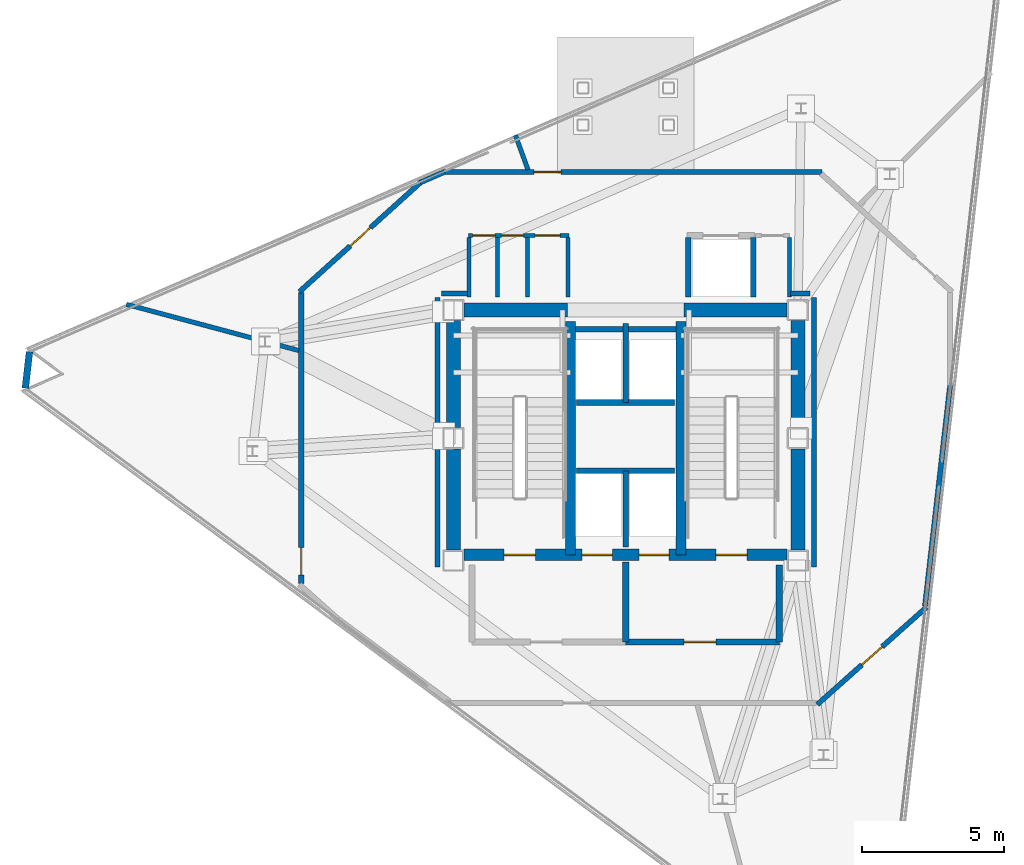
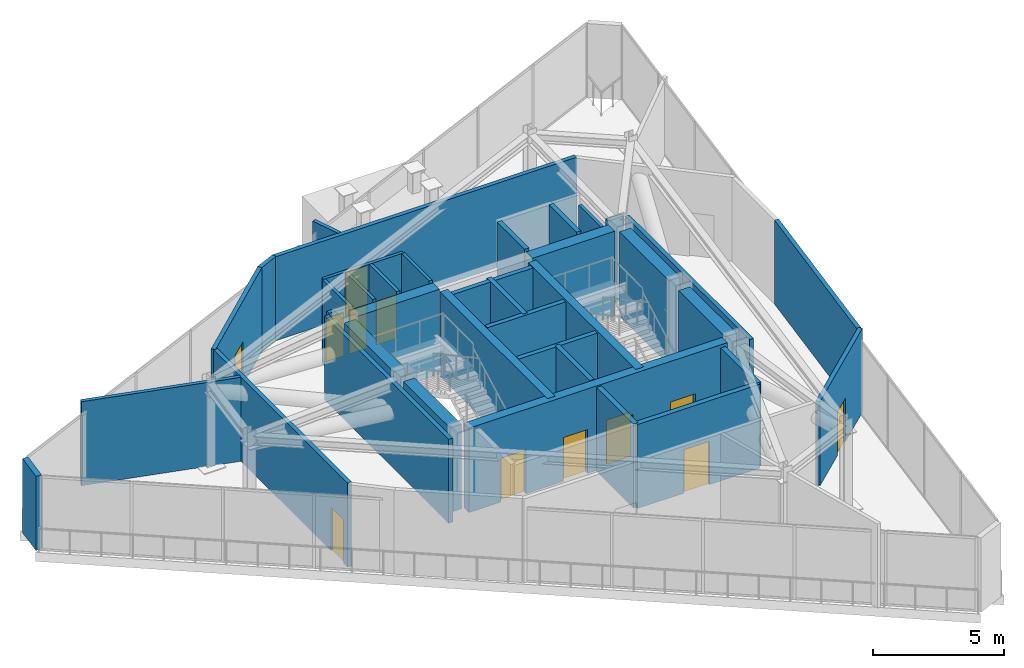
# One storey, part 8 of 11: 38 walls, 12 doors, 12 openings.
"""IFC4 building model written with IfcOpenShell, lengths in metres."""

from ifc_helpers import new_model, si_unit, direction, frame, frame_2d, origin, place, context, subcontext, project, spatial, rectangle, extrude, material, layer, layer_set, type_object, element, fill, save


model = new_model("IFC4")

# Units and contexts
model_context = context("Model", 3, precision=1e-05, world=origin(), true_north=direction((0.0, 1.0)))
body_context = subcontext(model_context, "Body", "Model", "MODEL_VIEW")
ifc_project = project(units=[si_unit("LENGTHUNIT", "METRE"), si_unit("AREAUNIT", "SQUARE_METRE"), si_unit("VOLUMEUNIT", "CUBIC_METRE"), si_unit("PLANEANGLEUNIT", "RADIAN"), si_unit("MASSUNIT", "GRAM", prefix="KILO")], contexts=[model_context])

# Site, building, storey
site_placement = place(None, origin())
site = spatial("IfcSite", under=ifc_project, at=site_placement, CompositionType="ELEMENT")
building_placement = place(site_placement, origin())
building = spatial("IfcBuilding", under=site, at=building_placement, Name="Rocaltana Carrier Exchange", CompositionType="ELEMENT")
storey_placement = place(building_placement, frame((0.0, 0.0, 239.199951171875)))
storey = spatial("IfcBuildingStorey", under=building, at=storey_placement, Name="L76", CompositionType="ELEMENT", Elevation=239.199951171875)

# Walls
ifc_material_1 = material(Name="Double Acoustic Gypsum Partition", Category="gypsum")
ifc_layer_1 = layer(ifc_material_1, 0.159912109375)
ifc_layer_set_1 = layer_set([ifc_layer_1], Name="Double Acoustic Gypsum Partition")
wall_type_1 = type_object("IfcWallType", Name="Acoustic Studio Partition 160 EI60", PredefinedType="PARTITIONING", material=ifc_layer_set_1)
wall_1_placement = place(storey_placement, frame((-3.43212890625, 9.429931640625, 0.0), z_axis=(0.0, 0.0, 1.0), x_axis=(-0.342016142969, 0.939694076787, 0.0)))
element("IfcWall", 1, at=wall_1_placement, inside=storey, type_object=wall_type_1, Name="L76 Suite Divider Wall D3", PredefinedType="PARTITIONING", context=body_context, shape_type="SweptSolid", body=[
    extrude(rectangle(XDim=1.2919921875, YDim=0.159912109375, at=frame_2d((0.64599609375, 0.0))), origin(), (0.0, 0.0, 1.0), 3.903076171875),
])
wall_2_placement = place(storey_placement, frame((-11.47998046875, 3.076171875, 0.0), z_axis=(0.0, 0.0, 1.0), x_axis=(-0.965930864757, 0.258800240551, 0.0)))
element("IfcWall", 2, at=wall_2_placement, inside=storey, type_object=wall_type_1, Name="L76 Suite Divider Wall D4", PredefinedType="PARTITIONING", context=body_context, shape_type="SweptSolid", body=[
    extrude(rectangle(XDim=6.277099609375, YDim=0.159912109375, at=frame_2d((3.138671875, 0.0))), origin(), (0.0, 0.0, 1.0), 3.903076171875),
])
ifc_material_2 = material(Name="Concrete C50/60", Category="concrete")
ifc_layer_2 = layer(ifc_material_2, 0.35009765625)
ifc_layer_set_2 = layer_set([ifc_layer_2], Name="Concrete C50/60")
wall_type_2 = type_object("IfcWallType", Name="Core Internal Shear Wall 350", PredefinedType="SHEAR", material=ifc_layer_set_2)
for number, where, z_axis, x_axis, name in (
    (3, (-1.93994140625, -4.10009765625, 0.0), (0.0, 0.0, 1.0), (0.0, 1.0, 0.0), "L76 Core Shear Wall CW-STW"),
    (4, (1.93994140625, -4.10009765625, 0.0), (0.0, 0.0, 1.0), (0.0, 1.0, 0.0), "L76 Core Shear Wall CW-STE"),
):
    element("IfcWall", number, at=place(storey_placement, frame(where, z_axis=z_axis, x_axis=x_axis)), inside=storey, type_object=wall_type_2, Name=name, PredefinedType="SHEAR", context=body_context, shape_type="SweptSolid", body=[
        extrude(rectangle(XDim=8.2001953125, YDim=0.35009765625, at=frame_2d((4.10009765625, 0.0))), origin(), (0.0, 0.0, 1.0), 3.927978515625),
    ])

# Wall, openings, doors
ifc_material_3 = material(Name="Concrete C50/60", Category="concrete")
ifc_layer_3 = layer(ifc_material_3, 0.39990234375)
ifc_layer_set_3 = layer_set([ifc_layer_3], Name="Concrete C50/60")
wall_type_3 = type_object("IfcWallType", Name="Core Internal Shear Wall 400", PredefinedType="SHEAR", material=ifc_layer_set_3)
wall_3_placement = place(storey_placement, frame((-5.675048828125, -4.10009765625, 0.0), z_axis=(0.0, 0.0, 1.0), x_axis=(1.0, 0.0, 0.0)))
wall_3 = element("IfcWall", 5, at=wall_3_placement, inside=storey, type_object=wall_type_3, Name="L76 Core Shear Wall CW-S", PredefinedType="SHEAR", context=body_context, shape_type="SweptSolid", body=[
    extrude(rectangle(XDim=11.35009765625, YDim=0.39990234375, at=frame_2d((5.675048828125, 0.0))), origin(), (0.0, 0.0, 1.0), 3.927978515625),
])
opening_1_placement = place(wall_3_placement, frame((1.405029296875, 0.0, 0.0)))
opening_1 = element("IfcOpeningElement", 6, at=opening_1_placement, cuts=wall_3, Name="Opening D-ST110", PredefinedType="OPENING", context=body_context, shape_type="SweptSolid", body=[
    extrude(rectangle(XDim=1.10009765625, YDim=2.0400390625, at=frame_2d((0.550048828125, 1.02001953125))), frame((0.0, 0.2099609375, 0.0), z_axis=(0.0, -1.0, 0.0), x_axis=(1.0, 0.0, 0.0)), (0.0, 0.0, 1.0), 0.419921875),
])
opening_2_placement = place(wall_3_placement, frame((8.844970703125, 0.0, 0.0)))
opening_2 = element("IfcOpeningElement", 7, at=opening_2_placement, cuts=wall_3, Name="Opening D-ST110", PredefinedType="OPENING", context=body_context, shape_type="SweptSolid", body=[
    extrude(rectangle(XDim=1.10009765625, YDim=2.0400390625, at=frame_2d((0.550048828125, 1.02001953125))), frame((0.0, 0.2099609375, 0.0), z_axis=(0.0, -1.0, 0.0), x_axis=(1.0, 0.0, 0.0)), (0.0, 0.0, 1.0), 0.419921875),
])
opening_3_placement = place(wall_3_placement, frame((4.14501953125, 0.0, 0.0)))
opening_3 = element("IfcOpeningElement", 8, at=opening_3_placement, cuts=wall_3, Name="Opening LD-110", PredefinedType="OPENING", context=body_context, shape_type="SweptSolid", body=[
    extrude(rectangle(XDim=1.06005859375, YDim=2.0400390625, at=frame_2d((0.530029296875, 1.02001953125))), frame((0.0, 0.2099609375, 0.0), z_axis=(0.0, -1.0, 0.0), x_axis=(1.0, 0.0, 0.0)), (0.0, 0.0, 1.0), 0.419921875),
])
opening_4_placement = place(wall_3_placement, frame((6.14501953125, 0.0, 0.0)))
opening_4 = element("IfcOpeningElement", 9, at=opening_4_placement, cuts=wall_3, Name="Opening LD-110", PredefinedType="OPENING", context=body_context, shape_type="SweptSolid", body=[
    extrude(rectangle(XDim=1.06005859375, YDim=2.0400390625, at=frame_2d((0.530029296875, 1.02001953125))), frame((0.0, 0.2099609375, 0.0), z_axis=(0.0, -1.0, 0.0), x_axis=(1.0, 0.0, 0.0)), (0.0, 0.0, 1.0), 0.419921875),
])
ifc_material_4 = material(Name="Hollow Metal Fire Door Assembly", Category="steel")
door_type_1 = type_object("IfcDoorType", Name="Exit Stair Fire Door 1100x2040 FD90S", OperationType="NOTDEFINED", PredefinedType="DOOR", material=ifc_material_4)
door_1_placement = place(opening_1_placement, origin())
door_1 = element("IfcDoor", 10, at=door_1_placement, inside=storey, type_object=door_type_1, Name="L76 Exit Stair ST1 Fire Door", OperationType="SINGLE_SWING_LEFT", OverallHeight=2.0400390625, OverallWidth=1.10009765625, PredefinedType="DOOR", context=body_context, shape_type="SweptSolid", body=[
    extrude(rectangle(XDim=1.10009765625, YDim=2.0400390625, at=frame_2d((0.550048828125, 1.02001953125))), frame((0.0, 0.02490234375, 0.0), z_axis=(0.0, -1.0, 0.0), x_axis=(1.0, 0.0, 0.0)), (0.0, 0.0, 1.0), 0.050048828125),
])
fill(opening_1, door_1)
door_2_placement = place(opening_2_placement, origin())
door_2 = element("IfcDoor", 11, at=door_2_placement, inside=storey, type_object=door_type_1, Name="L76 Exit Stair ST2 Fire Door", OperationType="SINGLE_SWING_RIGHT", OverallHeight=2.0400390625, OverallWidth=1.10009765625, PredefinedType="DOOR", context=body_context, shape_type="SweptSolid", body=[
    extrude(rectangle(XDim=1.10009765625, YDim=2.0400390625, at=frame_2d((0.550048828125, 1.02001953125))), frame((0.0, 0.02490234375, 0.0), z_axis=(0.0, -1.0, 0.0), x_axis=(1.0, 0.0, 0.0)), (0.0, 0.0, 1.0), 0.050048828125),
])
fill(opening_2, door_2)
ifc_material_5 = material(Name="Brushed Stainless Sliding Door Leaf", Category="steel")
door_type_2 = type_object("IfcDoorType", Name="Lift Landing Sliding Door 1060x2040", OperationType="NOTDEFINED", PredefinedType="DOOR", material=ifc_material_5)
door_3_placement = place(opening_3_placement, origin())
door_3 = element("IfcDoor", 12, at=door_3_placement, inside=storey, type_object=door_type_2, Name="L76 Firefighting Lift FFL1 Landing Door", OperationType="SLIDING_TO_LEFT", OverallHeight=2.0400390625, OverallWidth=1.06005859375, PredefinedType="DOOR", context=body_context, shape_type="SweptSolid", body=[
    extrude(rectangle(XDim=1.06005859375, YDim=2.0400390625, at=frame_2d((0.530029296875, 1.02001953125))), frame((0.0, 0.02490234375, 0.0), z_axis=(0.0, -1.0, 0.0), x_axis=(1.0, 0.0, 0.0)), (0.0, 0.0, 1.0), 0.050048828125),
])
fill(opening_3, door_3)
door_4_placement = place(opening_4_placement, origin())
door_4 = element("IfcDoor", 13, at=door_4_placement, inside=storey, type_object=door_type_2, Name="L76 Firefighting Lift FFL2 Landing Door", OperationType="SLIDING_TO_RIGHT", OverallHeight=2.0400390625, OverallWidth=1.06005859375, PredefinedType="DOOR", context=body_context, shape_type="SweptSolid", body=[
    extrude(rectangle(XDim=1.06005859375, YDim=2.0400390625, at=frame_2d((0.530029296875, 1.02001953125))), frame((0.0, 0.02490234375, 0.0), z_axis=(0.0, -1.0, 0.0), x_axis=(1.0, 0.0, 0.0)), (0.0, 0.0, 1.0), 0.050048828125),
])
fill(opening_4, door_4)

# Walls
ifc_material_6 = material(Name="Concrete C50/60", Category="concrete")
ifc_layer_4 = layer(ifc_material_6, 0.5)
ifc_layer_set_4 = layer_set([ifc_layer_4], Name="Concrete C50/60")
wall_type_4 = type_object("IfcWallType", Name="Core Shear Wall 500", PredefinedType="SHEAR", material=ifc_layer_set_4)
wall_4_placement = place(storey_placement, frame((-6.050048828125, 0.375, 0.0), z_axis=(0.0, 0.0, 1.0), x_axis=(0.0, 1.0, 0.0)))
element("IfcWall", 14, at=wall_4_placement, inside=storey, type_object=wall_type_4, Name="L76 Core Shear Wall CW-WN", PredefinedType="SHEAR", context=body_context, shape_type="SweptSolid", body=[
    extrude(rectangle(XDim=3.75, YDim=0.5, at=frame_2d((1.875, 0.0))), origin(), (0.0, 0.0, 1.0), 3.927978515625),
])
wall_5_placement = place(storey_placement, frame((-6.050048828125, -3.925048828125, 0.0), z_axis=(0.0, 0.0, 1.0), x_axis=(0.0, 1.0, 0.0)))
element("IfcWall", 15, at=wall_5_placement, inside=storey, type_object=wall_type_4, Name="L76 Core Shear Wall CW-WS", PredefinedType="SHEAR", context=body_context, shape_type="SweptSolid", body=[
    extrude(rectangle(XDim=3.550048828125, YDim=0.5, at=frame_2d((1.77490234375, 0.0))), origin(), (0.0, 0.0, 1.0), 3.927978515625),
])
wall_6_placement = place(storey_placement, frame((6.050048828125, 0.375, 0.0), z_axis=(0.0, 0.0, 1.0), x_axis=(0.0, 1.0, 0.0)))
element("IfcWall", 16, at=wall_6_placement, inside=storey, type_object=wall_type_4, Name="L76 Core Shear Wall CW-EN", PredefinedType="SHEAR", context=body_context, shape_type="SweptSolid", body=[
    extrude(rectangle(XDim=3.75, YDim=0.5, at=frame_2d((1.875, 0.0))), origin(), (0.0, 0.0, 1.0), 3.927978515625),
])
wall_7_placement = place(storey_placement, frame((6.050048828125, -3.925048828125, 0.0), z_axis=(0.0, 0.0, 1.0), x_axis=(0.0, 1.0, 0.0)))
element("IfcWall", 17, at=wall_7_placement, inside=storey, type_object=wall_type_4, Name="L76 Core Shear Wall CW-ES", PredefinedType="SHEAR", context=body_context, shape_type="SweptSolid", body=[
    extrude(rectangle(XDim=3.550048828125, YDim=0.5, at=frame_2d((1.77490234375, 0.0))), origin(), (0.0, 0.0, 1.0), 3.927978515625),
])
for number, where, z_axis, x_axis, name in (
    (18, (-5.675048828125, 4.5, 0.0), (0.0, 0.0, 1.0), (1.0, 0.0, 0.0), "L76 Core Shear Wall CW-N1"),
    (19, (2.050048828125, 4.5, 0.0), (0.0, 0.0, 1.0), (1.0, 0.0, 0.0), "L76 Core Shear Wall CW-N2"),
):
    element("IfcWall", number, at=place(storey_placement, frame(where, z_axis=z_axis, x_axis=x_axis)), inside=storey, type_object=wall_type_4, Name=name, PredefinedType="SHEAR", context=body_context, shape_type="SweptSolid", body=[
        extrude(rectangle(XDim=3.625, YDim=0.5, at=frame_2d((1.8125, 0.0))), origin(), (0.0, 0.0, 1.0), 3.927978515625),
    ])
ifc_material_7 = material(Name="Gypsum & Steel Stud Partition", Category="steel")
ifc_layer_5 = layer(ifc_material_7, 0.179931640625)
ifc_layer_set_5 = layer_set([ifc_layer_5], Name="Gypsum & Steel Stud Partition")
wall_type_5 = type_object("IfcWallType", Name="Corridor Fire Partition 180 EI60", PredefinedType="PARTITIONING", material=ifc_layer_set_5)
wall_8_placement = place(storey_placement, frame((-7.214599609375, 8.984375, 0.0), z_axis=(0.0, 0.0, 1.0), x_axis=(0.91702860971, 0.398821424917, 0.0)))
element("IfcWall", 20, at=wall_8_placement, inside=storey, type_object=wall_type_5, Name="L76 Corridor Partition 1", PredefinedType="PARTITIONING", context=body_context, shape_type="SweptSolid", body=[
    extrude(rectangle(XDim=0.9365234375, YDim=0.179931640625, at=frame_2d((0.46826171875, 0.0))), origin(), (0.0, 0.0, 1.0), 3.903076171875),
])

# Wall, opening, door
wall_9_placement = place(storey_placement, frame((-6.393798828125, 9.35009765625, 0.0), z_axis=(0.0, 0.0, 1.0), x_axis=(1.0, 0.0, 0.0)))
wall_9 = element("IfcWall", 21, at=wall_9_placement, inside=storey, type_object=wall_type_5, Name="L76 Corridor Partition 2", PredefinedType="PARTITIONING", context=body_context, shape_type="SweptSolid", body=[
    extrude(rectangle(XDim=13.28369140625, YDim=0.179931640625, at=frame_2d((6.641845703125, 0.0))), origin(), (0.0, 0.0, 1.0), 3.903076171875),
])
opening_5_placement = place(wall_9_placement, frame((3.16552734375, 0.0, 0.0)))
opening_5 = element("IfcOpeningElement", 22, at=opening_5_placement, cuts=wall_9, Name="Opening D-RM098", PredefinedType="OPENING", context=body_context, shape_type="SweptSolid", body=[
    extrude(rectangle(XDim=0.9599609375, YDim=2.02001953125, at=frame_2d((0.47998046875, 1.010009765625))), frame((0.0, 0.099853515625, 0.0), z_axis=(0.0, -1.0, 0.0), x_axis=(1.0, 0.0, 0.0)), (0.0, 0.0, 1.0), 0.199951171875),
])
ifc_material_8 = material(Name="Engineered Hardwood Timber", Category="wood")
door_type_3 = type_object("IfcDoorType", Name="Workspace Single Door 960x2020", OperationType="NOTDEFINED", PredefinedType="DOOR", material=ifc_material_8)
door_5_placement = place(opening_5_placement, origin())
door_5 = element("IfcDoor", 23, at=door_5_placement, inside=storey, type_object=door_type_3, Name="L76 Pressurised Refuge Area Entrance Door", OperationType="SINGLE_SWING_RIGHT", OverallHeight=2.02001953125, OverallWidth=0.9599609375, PredefinedType="DOOR", context=body_context, shape_type="SweptSolid", body=[
    extrude(rectangle(XDim=0.9599609375, YDim=2.02001953125, at=frame_2d((0.47998046875, 1.010009765625))), frame((0.0, 0.02490234375, 0.0), z_axis=(0.0, -1.0, 0.0), x_axis=(1.0, 0.0, 0.0)), (0.0, 0.0, 1.0), 0.050048828125),
])
fill(opening_5, door_5)

# Wall
wall_10_placement = place(storey_placement, frame((11.40234375, 1.880859375, 0.0), z_axis=(0.0, 0.0, 1.0), x_axis=(-0.113226899453, -0.993569156748, 0.0)))
element("IfcWall", 24, at=wall_10_placement, inside=storey, type_object=wall_type_5, Name="L76 Corridor Partition 5", PredefinedType="PARTITIONING", context=body_context, shape_type="SweptSolid", body=[
    extrude(rectangle(XDim=7.840087890625, YDim=0.179931640625, at=frame_2d((3.919921875, 0.0))), origin(), (0.0, 0.0, 1.0), 3.903076171875),
])

# Wall, opening, door
wall_11_placement = place(storey_placement, frame((10.57177734375, -5.938232421875, 0.0), z_axis=(0.0, 0.0, 1.0), x_axis=(-0.746510195803, -0.665373975717, 0.0)))
wall_11 = element("IfcWall", 25, at=wall_11_placement, inside=storey, type_object=wall_type_5, Name="L76 Corridor Partition 6", PredefinedType="PARTITIONING", context=body_context, shape_type="SweptSolid", body=[
    extrude(rectangle(XDim=5.142333984375, YDim=0.179931640625, at=frame_2d((2.5712890625, 0.0))), origin(), (0.0, 0.0, 1.0), 3.903076171875),
])
opening_6_placement = place(wall_11_placement, frame((2.09130859375, 0.0, 0.0)))
opening_6 = element("IfcOpeningElement", 26, at=opening_6_placement, cuts=wall_11, Name="Opening D-RM098", PredefinedType="OPENING", context=body_context, shape_type="SweptSolid", body=[
    extrude(rectangle(XDim=0.9599609375, YDim=2.02001953125, at=frame_2d((0.47998046875, 1.010009765625))), frame((0.0, 0.099853515625, 0.0), z_axis=(0.0, -1.0, 0.0), x_axis=(1.0, 0.0, 0.0)), (0.0, 0.0, 1.0), 0.199951171875),
])
door_6_placement = place(opening_6_placement, origin())
door_6 = element("IfcDoor", 27, at=door_6_placement, inside=storey, type_object=door_type_3, Name="L76 High-Altitude Cooling Plant Room Entrance Door", OperationType="SINGLE_SWING_RIGHT", OverallHeight=2.02001953125, OverallWidth=0.9599609375, PredefinedType="DOOR", context=body_context, shape_type="SweptSolid", body=[
    extrude(rectangle(XDim=0.9599609375, YDim=2.02001953125, at=frame_2d((0.47998046875, 1.010009765625))), frame((0.0, 0.02490234375, 0.0), z_axis=(0.0, -1.0, 0.0), x_axis=(1.0, 0.0, 0.0)), (0.0, 0.0, 1.0), 0.050048828125),
])
fill(opening_6, door_6)

wall_12_placement = place(storey_placement, frame((-11.39990234375, -5.110107421875, 0.0), z_axis=(0.0, 0.0, 1.0), x_axis=(0.0, 1.0, 0.0)))
wall_12 = element("IfcWall", 28, at=wall_12_placement, inside=storey, type_object=wall_type_5, Name="L76 Corridor Partition 10", PredefinedType="PARTITIONING", context=body_context, shape_type="SweptSolid", body=[
    extrude(rectangle(XDim=10.22021484375, YDim=0.179931640625, at=frame_2d((5.110107421875, 0.0))), origin(), (0.0, 0.0, 1.0), 3.903076171875),
])
opening_7_placement = place(wall_12_placement, frame((0.300048828125, 0.0, 0.0)))
opening_7 = element("IfcOpeningElement", 29, at=opening_7_placement, cuts=wall_12, Name="Opening D-RM098", PredefinedType="OPENING", context=body_context, shape_type="SweptSolid", body=[
    extrude(rectangle(XDim=0.9599609375, YDim=2.02001953125, at=frame_2d((0.47998046875, 1.010009765625))), frame((0.0, 0.099853515625, 0.0), z_axis=(0.0, -1.0, 0.0), x_axis=(1.0, 0.0, 0.0)), (0.0, 0.0, 1.0), 0.199951171875),
])
door_7_placement = place(opening_7_placement, origin())
door_7 = element("IfcDoor", 30, at=door_7_placement, inside=storey, type_object=door_type_3, Name="L76 Crown Telemetry Control Room Entrance Door", OperationType="SINGLE_SWING_RIGHT", OverallHeight=2.02001953125, OverallWidth=0.9599609375, PredefinedType="DOOR", context=body_context, shape_type="SweptSolid", body=[
    extrude(rectangle(XDim=0.9599609375, YDim=2.02001953125, at=frame_2d((0.47998046875, 1.010009765625))), frame((0.0, 0.02490234375, 0.0), z_axis=(0.0, -1.0, 0.0), x_axis=(1.0, 0.0, 0.0)), (0.0, 0.0, 1.0), 0.050048828125),
])
fill(opening_7, door_7)

wall_13_placement = place(storey_placement, frame((-11.466796875, 5.1396484375, 0.0), z_axis=(0.0, 0.0, 1.0), x_axis=(0.742488041898, 0.66985931929, 0.0)))
wall_13 = element("IfcWall", 31, at=wall_13_placement, inside=storey, type_object=wall_type_5, Name="L76 Corridor Partition 11", PredefinedType="PARTITIONING", context=body_context, shape_type="SweptSolid", body=[
    extrude(rectangle(XDim=5.771728515625, YDim=0.179931640625, at=frame_2d((2.8857421875, 0.0))), origin(), (0.0, 0.0, 1.0), 3.903076171875),
])
opening_8_placement = place(wall_13_placement, frame((2.40576171875, 0.0, 0.0)))
opening_8 = element("IfcOpeningElement", 32, at=opening_8_placement, cuts=wall_13, Name="Opening D-RM098", PredefinedType="OPENING", context=body_context, shape_type="SweptSolid", body=[
    extrude(rectangle(XDim=0.9599609375, YDim=2.02001953125, at=frame_2d((0.47998046875, 1.010009765625))), frame((0.0, 0.099853515625, 0.0), z_axis=(0.0, -1.0, 0.0), x_axis=(1.0, 0.0, 0.0)), (0.0, 0.0, 1.0), 0.199951171875),
])
door_8_placement = place(opening_8_placement, origin())
door_8 = element("IfcDoor", 33, at=door_8_placement, inside=storey, type_object=door_type_3, Name="L76 Fire Booster Pump Room Entrance Door", OperationType="SINGLE_SWING_LEFT", OverallHeight=2.02001953125, OverallWidth=0.9599609375, PredefinedType="DOOR", context=body_context, shape_type="SweptSolid", body=[
    extrude(rectangle(XDim=0.9599609375, YDim=2.02001953125, at=frame_2d((0.47998046875, 1.010009765625))), frame((0.0, 0.02490234375, 0.0), z_axis=(0.0, -1.0, 0.0), x_axis=(1.0, 0.0, 0.0)), (0.0, 0.0, 1.0), 0.050048828125),
])
fill(opening_8, door_8)

# Walls
for number, where, z_axis, x_axis, name in (
    (34, (-6.610107421875, 4.93994140625, 0.0), (0.0, 0.0, 1.0), (0.0, -1.0, 0.0), "L76 Corridor Partition 12"),
    (35, (6.610107421875, -4.52001953125, 0.0), (0.0, 0.0, 1.0), (0.0, 1.0, 0.0), "L76 Corridor Partition 15"),
):
    element("IfcWall", number, at=place(storey_placement, frame(where, z_axis=z_axis, x_axis=x_axis)), inside=storey, type_object=wall_type_5, Name=name, PredefinedType="PARTITIONING", context=body_context, shape_type="SweptSolid", body=[
        extrude(rectangle(XDim=9.4599609375, YDim=0.179931640625, at=frame_2d((4.72998046875, 0.0))), origin(), (0.0, 0.0, 1.0), 3.903076171875),
    ])
wall_14_placement = place(storey_placement, frame((6.469970703125, 5.080078125, 0.0), z_axis=(0.0, 0.0, 1.0), x_axis=(-1.0, 0.0, 0.0)))
element("IfcWall", 36, at=wall_14_placement, inside=storey, type_object=wall_type_5, Name="L76 Corridor Partition 16", PredefinedType="PARTITIONING", context=body_context, shape_type="SweptSolid", body=[
    extrude(rectangle(XDim=0.679931640625, YDim=0.179931640625, at=frame_2d((0.33984375, 0.0))), origin(), (0.0, 0.0, 1.0), 3.903076171875),
])
wall_15_placement = place(storey_placement, frame((-5.550048828125, 5.080078125, 0.0), z_axis=(0.0, 0.0, 1.0), x_axis=(-1.0, 0.0, 0.0)))
element("IfcWall", 37, at=wall_15_placement, inside=storey, type_object=wall_type_5, Name="L76 Corridor Partition 19", PredefinedType="PARTITIONING", context=body_context, shape_type="SweptSolid", body=[
    extrude(rectangle(XDim=0.919921875, YDim=0.179931640625, at=frame_2d((0.4599609375, 0.0))), origin(), (0.0, 0.0, 1.0), 3.903076171875),
])
ifc_material_9 = material(Name="Autoclaved Aerated Concrete C30/37", Category="concrete")
ifc_layer_6 = layer(ifc_material_9, 0.219970703125)
ifc_layer_set_6 = layer_set([ifc_layer_6], Name="Autoclaved Aerated Concrete C30/37")
wall_type_6 = type_object("IfcWallType", Name="Firefighting Lobby Wall 220 EI120", PredefinedType="PARTITIONING", material=ifc_layer_set_6)
wall_16_placement = place(storey_placement, frame((5.39990234375, -7.159912109375, 0.0), z_axis=(0.0, 0.0, 1.0), x_axis=(0.0, 1.0, 0.0)))
element("IfcWall", 38, at=wall_16_placement, inside=storey, type_object=wall_type_6, Name="L76 FFL Lobby 2 East Wall", PredefinedType="PARTITIONING", context=body_context, shape_type="SweptSolid", body=[
    extrude(rectangle(XDim=2.7099609375, YDim=0.219970703125, at=frame_2d((1.35498046875, 0.0))), origin(), (0.0, 0.0, 1.0), 3.903076171875),
])
wall_17_placement = place(storey_placement, frame((0.0, -7.159912109375, 0.0), z_axis=(0.0, 0.0, 1.0), x_axis=(0.0, 1.0, 0.0)))
element("IfcWall", 39, at=wall_17_placement, inside=storey, type_object=wall_type_6, Name="L76 FFL Lobby Centre Wall", PredefinedType="PARTITIONING", context=body_context, shape_type="SweptSolid", body=[
    extrude(rectangle(XDim=2.809814453125, YDim=0.219970703125, at=frame_2d((1.40478515625, 0.0))), origin(), (0.0, 0.0, 1.0), 3.903076171875),
])

# Wall, opening, door
wall_18_placement = place(storey_placement, frame((0.0, -7.159912109375, 0.0), z_axis=(0.0, 0.0, 1.0), x_axis=(1.0, 0.0, 0.0)))
wall_18 = element("IfcWall", 40, at=wall_18_placement, inside=storey, type_object=wall_type_6, Name="L76 FFL Lobby 2 South Wall", PredefinedType="PARTITIONING", context=body_context, shape_type="SweptSolid", body=[
    extrude(rectangle(XDim=5.39990234375, YDim=0.219970703125, at=frame_2d((2.699951171875, 0.0))), origin(), (0.0, 0.0, 1.0), 3.903076171875),
])
opening_9_placement = place(wall_18_placement, frame((2.050048828125, 0.0, 0.0)))
opening_9 = element("IfcOpeningElement", 41, at=opening_9_placement, cuts=wall_18, Name="Opening D-FF115", PredefinedType="OPENING", context=body_context, shape_type="SweptSolid", body=[
    extrude(rectangle(XDim=1.1201171875, YDim=2.02001953125, at=frame_2d((0.56005859375, 1.010009765625))), frame((0.0, 0.119873046875, 0.0), z_axis=(0.0, -1.0, 0.0), x_axis=(1.0, 0.0, 0.0)), (0.0, 0.0, 1.0), 0.239990234375),
])
ifc_material_10 = material(Name="Hollow Metal Fire Door Assembly", Category="steel")
door_type_4 = type_object("IfcDoorType", Name="Firefighting Lobby Door 1120x2020 FD60S", OperationType="NOTDEFINED", PredefinedType="DOOR", material=ifc_material_10)
door_9_placement = place(opening_9_placement, origin())
door_9 = element("IfcDoor", 42, at=door_9_placement, inside=storey, type_object=door_type_4, Name="L76 Firefighting Lift Lobby 2 Door", OperationType="SINGLE_SWING_RIGHT", OverallHeight=2.02001953125, OverallWidth=1.1201171875, PredefinedType="DOOR", context=body_context, shape_type="SweptSolid", body=[
    extrude(rectangle(XDim=1.1201171875, YDim=2.02001953125, at=frame_2d((0.56005859375, 1.010009765625))), frame((0.0, 0.02490234375, 0.0), z_axis=(0.0, -1.0, 0.0), x_axis=(1.0, 0.0, 0.0)), (0.0, 0.0, 1.0), 0.050048828125),
])
fill(opening_9, door_9)

# Walls
ifc_material_11 = material(Name="Reinforced Concrete Block C35/45", Category="concrete")
ifc_layer_7 = layer(ifc_material_11, 0.199951171875)
ifc_layer_set_7 = layer_set([ifc_layer_7], Name="Reinforced Concrete Block C35/45")
wall_type_7 = type_object("IfcWallType", Name="Lift Hoistway Enclosure Wall 200 EI120", PredefinedType="PARTITIONING", material=ifc_layer_set_7)
wall_19_placement = place(storey_placement, frame((0.0, -3.820068359375, 0.0), z_axis=(0.0, 0.0, 1.0), x_axis=(0.0, 1.0, 0.0)))
element("IfcWall", 43, at=wall_19_placement, inside=storey, type_object=wall_type_7, Name="L76 FFL Shaft Divider", PredefinedType="PARTITIONING", context=body_context, shape_type="SweptSolid", body=[
    extrude(rectangle(XDim=2.670166015625, YDim=0.199951171875, at=frame_2d((1.3349609375, 0.0))), origin(), (0.0, 0.0, 1.0), 3.903076171875),
])
wall_20_placement = place(storey_placement, frame((-1.719970703125, -1.14990234375, 0.0), z_axis=(0.0, 0.0, 1.0), x_axis=(1.0, 0.0, 0.0)))
element("IfcWall", 44, at=wall_20_placement, inside=storey, type_object=wall_type_7, Name="L76 FFL Shaft Back Wall", PredefinedType="PARTITIONING", context=body_context, shape_type="SweptSolid", body=[
    extrude(rectangle(XDim=3.43994140625, YDim=0.199951171875, at=frame_2d((1.719970703125, 0.0))), origin(), (0.0, 0.0, 1.0), 3.903076171875),
])
wall_21_placement = place(storey_placement, frame((0.0, 1.25, 0.0), z_axis=(0.0, 0.0, 1.0), x_axis=(0.0, 1.0, 0.0)))
element("IfcWall", 45, at=wall_21_placement, inside=storey, type_object=wall_type_7, Name="L76 High-Rise Shaft Divider", PredefinedType="PARTITIONING", context=body_context, shape_type="SweptSolid", body=[
    extrude(rectangle(XDim=2.77001953125, YDim=0.199951171875, at=frame_2d((1.385009765625, 0.0))), origin(), (0.0, 0.0, 1.0), 3.903076171875),
])
wall_22_placement = place(storey_placement, frame((-1.719970703125, 1.25, 0.0), z_axis=(0.0, 0.0, 1.0), x_axis=(1.0, 0.0, 0.0)))
element("IfcWall", 46, at=wall_22_placement, inside=storey, type_object=wall_type_7, Name="L76 High-Rise Shaft Back Wall", PredefinedType="PARTITIONING", context=body_context, shape_type="SweptSolid", body=[
    extrude(rectangle(XDim=3.43994140625, YDim=0.199951171875, at=frame_2d((1.719970703125, 0.0))), origin(), (0.0, 0.0, 1.0), 3.903076171875),
])
wall_23_placement = place(storey_placement, frame((-1.760009765625, 3.820068359375, 0.0), z_axis=(0.0, 0.0, 1.0), x_axis=(1.0, 0.0, 0.0)))
element("IfcWall", 47, at=wall_23_placement, inside=storey, type_object=wall_type_7, Name="L76 High-Rise Lift Front Wall", PredefinedType="PARTITIONING", context=body_context, shape_type="SweptSolid", body=[
    extrude(rectangle(XDim=3.52001953125, YDim=0.199951171875, at=frame_2d((1.760009765625, 0.0))), origin(), (0.0, 0.0, 1.0), 3.903076171875),
])
for number, where, z_axis, x_axis, name in (
    (48, (2.199951171875, 4.949951171875, 0.0), (0.0, 0.0, 1.0), (0.0, 1.0, 0.0), "L76 Goods Lift West Wall"),
    (49, (4.47998046875, 4.949951171875, 0.0), (0.0, 0.0, 1.0), (0.0, 1.0, 0.0), "L76 Goods Lift East Wall"),
):
    element("IfcWall", number, at=place(storey_placement, frame(where, z_axis=z_axis, x_axis=x_axis)), inside=storey, type_object=wall_type_7, Name=name, PredefinedType="PARTITIONING", context=body_context, shape_type="SweptSolid", body=[
        extrude(rectangle(XDim=2.10009765625, YDim=0.199951171875, at=frame_2d((1.050048828125, 0.0))), origin(), (0.0, 0.0, 1.0), 3.903076171875),
    ])
ifc_material_12 = material(Name="Precast sandstone concrete C40/50", Category="masonry")
ifc_layer_8 = layer(ifc_material_12, 0.239990234375)
ifc_layer_set_8 = layer_set([ifc_layer_8], Name="Precast sandstone concrete C40/50")
wall_type_8 = type_object("IfcWallType", Name="Terrace Stone Parapet Wall 240", PredefinedType="PARAPET", material=ifc_layer_set_8)
wall_24_placement = place(storey_placement, frame((-20.947509765625, 3.034912109375, 0.0), z_axis=(0.0, 0.0, 1.0), x_axis=(-0.113322117878, -0.993558301057, 0.0)))
element("IfcWall", 50, at=wall_24_placement, inside=storey, type_object=wall_type_8, Name="L76 Crown Corner Mullion Wall C2", PredefinedType="PARAPET", context=body_context, shape_type="SweptSolid", body=[
    extrude(rectangle(XDim=1.288330078125, YDim=0.239990234375, at=frame_2d((0.64404296875, 0.0))), origin(), (0.0, 0.0, 1.0), 3.447998046875),
])
ifc_material_13 = material(Name="Moisture-Resistant Masonry C30/37", Category="masonry")
ifc_layer_9 = layer(ifc_material_13, 0.139892578125)
ifc_layer_set_9 = layer_set([ifc_layer_9], Name="Moisture-Resistant Masonry C30/37")
wall_type_9 = type_object("IfcWallType", Name="Wet-Area Sanitary Partition 140", PredefinedType="PARTITIONING", material=ifc_layer_set_9)
for number, where, z_axis, x_axis, name in (
    (51, (-5.5, 4.949951171875, 0.0), (0.0, 0.0, 1.0), (0.0, 1.0, 0.0), "L76 Sanitary West Wall"),
    (52, (-4.5, 4.949951171875, 0.0), (0.0, 0.0, 1.0), (0.0, 1.0, 0.0), "L76 Sanitary Divider 1"),
    (53, (-3.449951171875, 4.949951171875, 0.0), (0.0, 0.0, 1.0), (0.0, 1.0, 0.0), "L76 Sanitary Divider 2"),
    (54, (-2.02001953125, 4.949951171875, 0.0), (0.0, 0.0, 1.0), (0.0, 1.0, 0.0), "L76 Sanitary East Wall"),
):
    element("IfcWall", number, at=place(storey_placement, frame(where, z_axis=z_axis, x_axis=x_axis)), inside=storey, type_object=wall_type_9, Name=name, PredefinedType="PARTITIONING", context=body_context, shape_type="SweptSolid", body=[
        extrude(rectangle(XDim=2.10009765625, YDim=0.139892578125, at=frame_2d((1.050048828125, 0.0))), origin(), (0.0, 0.0, 1.0), 3.903076171875),
    ])

# Wall, openings, doors
wall_25_placement = place(storey_placement, frame((-5.52001953125, 7.1201171875, 0.0), z_axis=(0.0, 0.0, 1.0), x_axis=(1.0, 0.0, 0.0)))
wall_25 = element("IfcWall", 55, at=wall_25_placement, inside=storey, type_object=wall_type_9, Name="L76 Sanitary North Wall", PredefinedType="PARTITIONING", context=body_context, shape_type="SweptSolid", body=[
    extrude(rectangle(XDim=3.52001953125, YDim=0.139892578125, at=frame_2d((1.760009765625, 0.0))), origin(), (0.0, 0.0, 1.0), 3.903076171875),
])
opening_10_placement = place(wall_25_placement, frame((0.139892578125, 0.0, 0.0)))
opening_10 = element("IfcOpeningElement", 56, at=opening_10_placement, cuts=wall_25, Name="Opening D-RS082", PredefinedType="OPENING", context=body_context, shape_type="SweptSolid", body=[
    extrude(rectangle(XDim=0.780029296875, YDim=2.010009765625, at=frame_2d((0.39013671875, 1.0048828125))), frame((0.0, 0.079833984375, 0.0), z_axis=(0.0, -1.0, 0.0), x_axis=(1.0, 0.0, 0.0)), (0.0, 0.0, 1.0), 0.159912109375),
])
opening_11_placement = place(wall_25_placement, frame((1.14990234375, 0.0, 0.0)))
opening_11 = element("IfcOpeningElement", 57, at=opening_11_placement, cuts=wall_25, Name="Opening D-RS082", PredefinedType="OPENING", context=body_context, shape_type="SweptSolid", body=[
    extrude(rectangle(XDim=0.780029296875, YDim=2.010009765625, at=frame_2d((0.39013671875, 1.0048828125))), frame((0.0, 0.079833984375, 0.0), z_axis=(0.0, -1.0, 0.0), x_axis=(1.0, 0.0, 0.0)), (0.0, 0.0, 1.0), 0.159912109375),
])
opening_12_placement = place(wall_25_placement, frame((2.340087890625, 0.0, 0.0)))
opening_12 = element("IfcOpeningElement", 58, at=opening_12_placement, cuts=wall_25, Name="Opening D-WC090", PredefinedType="OPENING", context=body_context, shape_type="SweptSolid", body=[
    extrude(rectangle(XDim=0.8798828125, YDim=2.02001953125, at=frame_2d((0.43994140625, 1.010009765625))), frame((0.0, 0.079833984375, 0.0), z_axis=(0.0, -1.0, 0.0), x_axis=(1.0, 0.0, 0.0)), (0.0, 0.0, 1.0), 0.159912109375),
])
ifc_material_14 = material(Name="High-Pressure Laminate Timber", Category="wood")
door_type_5 = type_object("IfcDoorType", Name="Restroom & Accessible WC Door 880x2020", OperationType="NOTDEFINED", PredefinedType="DOOR", material=ifc_material_14)
door_10_placement = place(opening_12_placement, origin())
door_10 = element("IfcDoor", 59, at=door_10_placement, inside=storey, type_object=door_type_5, Name="L76 Accessible Toilet Door", OperationType="SINGLE_SWING_LEFT", OverallHeight=2.02001953125, OverallWidth=0.8798828125, PredefinedType="DOOR", context=body_context, shape_type="SweptSolid", body=[
    extrude(rectangle(XDim=0.8798828125, YDim=2.02001953125, at=frame_2d((0.43994140625, 1.010009765625))), frame((0.0, 0.02490234375, 0.0), z_axis=(0.0, -1.0, 0.0), x_axis=(1.0, 0.0, 0.0)), (0.0, 0.0, 1.0), 0.050048828125),
])
fill(opening_12, door_10)
ifc_material_15 = material(Name="Hollow Metal Access Door Leaf", Category="steel")
door_type_6 = type_object("IfcDoorType", Name="Riser & Service Closet Door 780x2010", OperationType="NOTDEFINED", PredefinedType="DOOR", material=ifc_material_15)
door_11_placement = place(opening_10_placement, origin())
door_11 = element("IfcDoor", 60, at=door_11_placement, inside=storey, type_object=door_type_6, Name="L76 Cleaner Store Door", OperationType="SINGLE_SWING_LEFT", OverallHeight=2.010009765625, OverallWidth=0.780029296875, PredefinedType="DOOR", context=body_context, shape_type="SweptSolid", body=[
    extrude(rectangle(XDim=0.780029296875, YDim=2.010009765625, at=frame_2d((0.39013671875, 1.0048828125))), frame((0.0, 0.02490234375, 0.0), z_axis=(0.0, -1.0, 0.0), x_axis=(1.0, 0.0, 0.0)), (0.0, 0.0, 1.0), 0.050048828125),
])
fill(opening_10, door_11)
door_12_placement = place(opening_11_placement, origin())
door_12 = element("IfcDoor", 61, at=door_12_placement, inside=storey, type_object=door_type_6, Name="L76 Staff Restroom Door", OperationType="SINGLE_SWING_RIGHT", OverallHeight=2.010009765625, OverallWidth=0.780029296875, PredefinedType="DOOR", context=body_context, shape_type="SweptSolid", body=[
    extrude(rectangle(XDim=0.780029296875, YDim=2.010009765625, at=frame_2d((0.39013671875, 1.0048828125))), frame((0.0, 0.02490234375, 0.0), z_axis=(0.0, -1.0, 0.0), x_axis=(1.0, 0.0, 0.0)), (0.0, 0.0, 1.0), 0.050048828125),
])
fill(opening_11, door_12)

# Wall
wall_26_placement = place(storey_placement, frame((5.760009765625, 4.949951171875, 0.0), z_axis=(0.0, 0.0, 1.0), x_axis=(0.0, 1.0, 0.0)))
element("IfcWall", 62, at=wall_26_placement, inside=storey, type_object=wall_type_9, Name="L76 Riser East Wall", PredefinedType="PARTITIONING", context=body_context, shape_type="SweptSolid", body=[
    extrude(rectangle(XDim=2.10009765625, YDim=0.139892578125, at=frame_2d((1.050048828125, 0.0))), origin(), (0.0, 0.0, 1.0), 3.43310546875),
])

save(model, "model.ifc")
